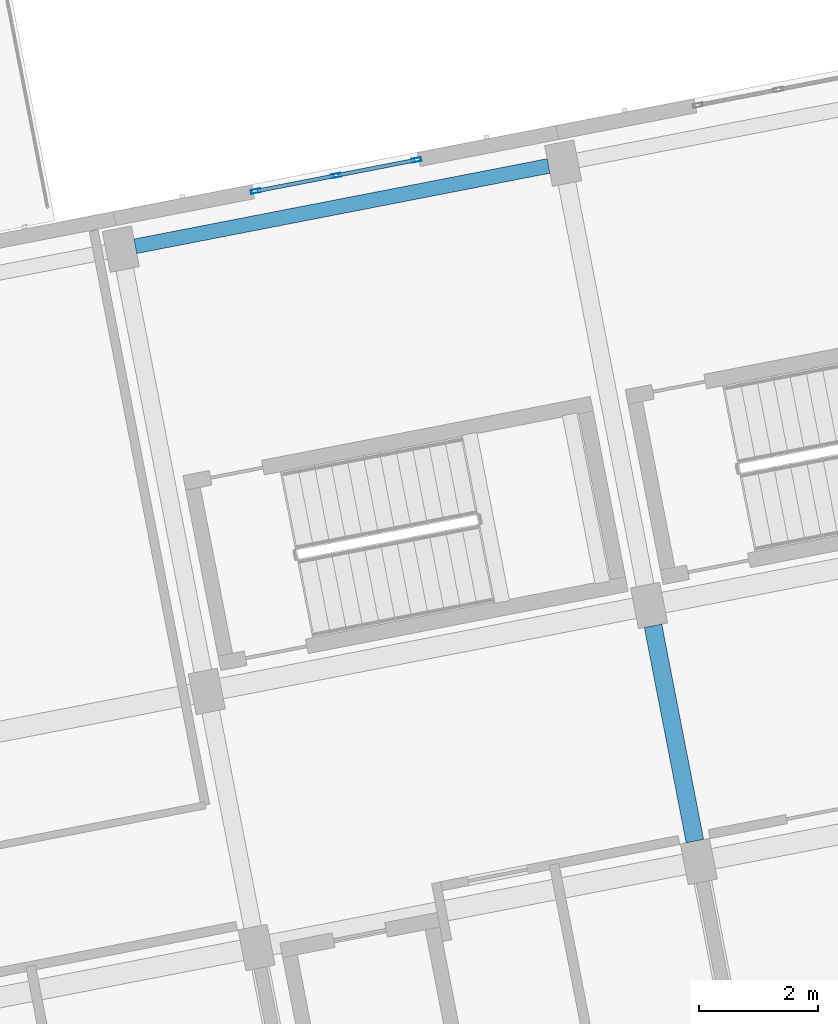
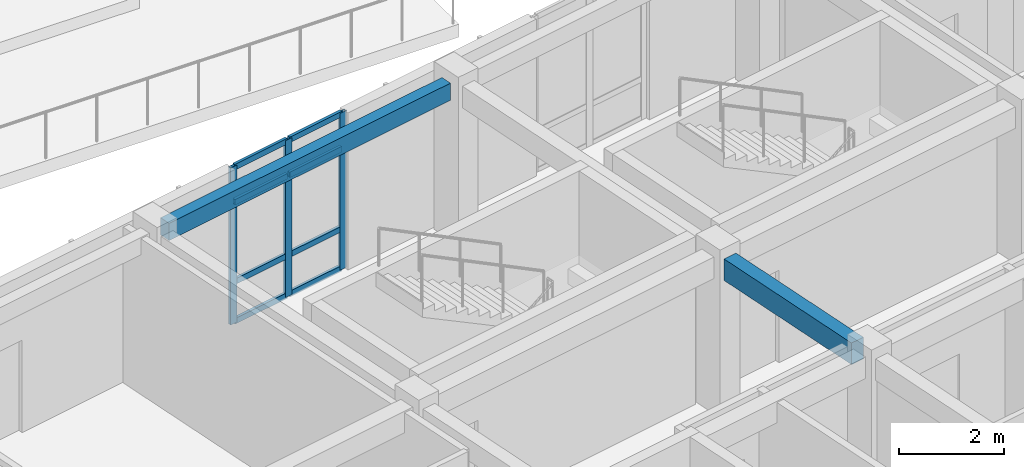
# One storey, part 58 of 150: 11 members, 2 beams, 1 element without a shape of its own.
"""IFC4 building model written with IfcOpenShell, lengths in metres."""

from ifc_helpers import new_model, si_unit, direction, frame, origin, origin_2d, place, context, subcontext, project, spatial, rectangle, hollow_rectangle, extrude, material, material_profile, profile_set, type_object, element, aggregate, save


model = new_model("IFC4")

# Units and contexts
model_context = context("Model", 3, precision=1e-05, world=origin(), true_north=direction((0.0, 1.0)))
body_context = subcontext(model_context, "Body", "Model", "MODEL_VIEW")
ifc_project = project(units=[si_unit("LENGTHUNIT", "METRE"), si_unit("AREAUNIT", "SQUARE_METRE"), si_unit("VOLUMEUNIT", "CUBIC_METRE"), si_unit("PLANEANGLEUNIT", "RADIAN"), si_unit("MASSUNIT", "GRAM", prefix="KILO")], contexts=[model_context])

# Site, building, storey
site_placement = place(None, origin())
site = spatial("IfcSite", under=ifc_project, at=site_placement, CompositionType="ELEMENT")
building_placement = place(site_placement, origin())
building = spatial("IfcBuilding", under=site, at=building_placement, Name="Kestramere Prow Commons", CompositionType="ELEMENT")
storey_placement = place(building_placement, frame((0.0, 0.0, 4.5)))
storey = spatial("IfcBuildingStorey", under=building, at=storey_placement, Name="L01", CompositionType="ELEMENT", Elevation=4.5)

# Beam
ifc_material_1 = material(Name="Precast concrete C40/50", Category="concrete")
ifc_material_profile_1 = material_profile(ifc_material_1, rectangle(XDim=0.300048828125, YDim=0.5, at=origin_2d()), Name="PC-BM 300x500")
ifc_profile_set_1 = profile_set([ifc_material_profile_1], Name="Precast concrete C40/50")
beam_type_1 = type_object("IfcBeamType", Name="BM-TIE-01 PC-BM 300x500", PredefinedType="BEAM", material=ifc_profile_set_1)
beam_1_placement = place(storey_placement, frame((146.724609375, 47.6044921875, 3.39990234375), z_axis=(-0.190821974723, 0.981624660429, 0.0), x_axis=(-0.981624660429, -0.190821974723, 0.0)))
element("IfcBeam", 1, at=beam_1_placement, inside=storey, type_object=beam_type_1, Name="Block D L01 Transverse Beam 5-2", PredefinedType="BEAM", context=body_context, shape_type="SweptSolid", body=[
    extrude(rectangle(XDim=0.300048828125, YDim=0.5, at=origin_2d()), origin(), (0.0, 0.0, 1.0), 3.699951171875),
])

# Curtain wall, members
ifc_material_2 = material(Name="Anodised Aluminium and Low-E Glass", Category="aluminium")
curtain_wall_type = type_object("IfcCurtainWallType", Name="CW-02 Glazed Curtain Wall 2830x3650", PredefinedType="USERDEFINED", material=ifc_material_2)
curtain_wall_placement = place(storey_placement, origin())
curtain_wall = element("IfcCurtainWall", 2, at=curtain_wall_placement, inside=storey, type_object=curtain_wall_type, Name="Block D L01 Stairwell Vertical Glazing 4", ObjectType="GLAZED CURTAIN WALL", PredefinedType="USERDEFINED")
ifc_material_3 = material(Name="Anodised Aluminium 6063-T6", Category="aluminium")
ifc_material_profile_2 = material_profile(ifc_material_3, hollow_rectangle(XDim=0.06494140625, YDim=0.159912109375, WallThickness=0.00390625, at=origin_2d()), Name="ALU-MUL 65x160")
ifc_profile_set_2 = profile_set([ifc_material_profile_2], Name="Anodised Aluminium 6063-T6")
member_type_1 = type_object("IfcMemberType", Name="CW-MUL-65x160", PredefinedType="MULLION", material=ifc_profile_set_2)
member_1_placement = place(storey_placement, frame((139.314208984375, 58.56689453125, 0.0), z_axis=(0.0, 0.0, 1.0), x_axis=(-0.190808835118, 0.981627214599, 0.0)))
member_1 = element("IfcMember", 3, at=member_1_placement, type_object=member_type_1, Name="CW-02 mullion 1", PredefinedType="MULLION", context=body_context, shape_type="SweptSolid", body=[
    extrude(hollow_rectangle(XDim=0.06494140625, YDim=0.159912109375, WallThickness=0.00390625, at=origin_2d()), origin(), (0.0, 0.0, 1.0), 3.64990234375),
])
member_2_placement = place(storey_placement, frame((140.671142578125, 58.830810546875, 0.0), z_axis=(0.0, 0.0, 1.0), x_axis=(-0.190808835118, 0.981627214599, 0.0)))
member_2 = element("IfcMember", 4, at=member_2_placement, type_object=member_type_1, Name="CW-02 mullion 2", PredefinedType="MULLION", context=body_context, shape_type="SweptSolid", body=[
    extrude(hollow_rectangle(XDim=0.06494140625, YDim=0.159912109375, WallThickness=0.00390625, at=origin_2d()), origin(), (0.0, 0.0, 1.0), 3.64990234375),
])
member_3_placement = place(storey_placement, frame((142.0283203125, 59.094482421875, 0.0), z_axis=(0.0, 0.0, 1.0), x_axis=(-0.190808835118, 0.981627214599, 0.0)))
member_3 = element("IfcMember", 5, at=member_3_placement, type_object=member_type_1, Name="CW-02 mullion 3", PredefinedType="MULLION", context=body_context, shape_type="SweptSolid", body=[
    extrude(hollow_rectangle(XDim=0.06494140625, YDim=0.159912109375, WallThickness=0.00390625, at=origin_2d()), origin(), (0.0, 0.0, 1.0), 3.64990234375),
])
ifc_material_profile_3 = material_profile(ifc_material_3, hollow_rectangle(XDim=0.06494140625, YDim=0.1298828125, WallThickness=0.00390625, at=origin_2d()), Name="ALU-TRN 65x130")
ifc_profile_set_3 = profile_set([ifc_material_profile_3], Name="Anodised Aluminium 6063-T6")
member_type_2 = type_object("IfcMemberType", Name="CW-TRN-65x130", PredefinedType="USERDEFINED", material=ifc_profile_set_3)
member_4_placement = place(storey_placement, frame((139.345947265625, 58.5732421875, 0.032470703125), z_axis=(0.981655869186, 0.190661360776, 0.0), x_axis=(-0.190661360776, 0.981655869186, 0.0)))
member_4 = element("IfcMember", 6, at=member_4_placement, type_object=member_type_2, Name="CW-02 transom 1.1", ObjectType="TRANSOM", PredefinedType="USERDEFINED", context=body_context, shape_type="SweptSolid", body=[
    extrude(hollow_rectangle(XDim=0.06494140625, YDim=0.1298828125, WallThickness=0.00390625, at=origin_2d()), origin(), (0.0, 0.0, 1.0), 1.317626953125),
])
member_5_placement = place(storey_placement, frame((139.345947265625, 58.5732421875, 0.949951171875), z_axis=(0.981655869186, 0.190661360776, 0.0), x_axis=(-0.190661360776, 0.981655869186, 0.0)))
member_5 = element("IfcMember", 7, at=member_5_placement, type_object=member_type_2, Name="CW-02 transom 1.2", ObjectType="TRANSOM", PredefinedType="USERDEFINED", context=body_context, shape_type="SweptSolid", body=[
    extrude(hollow_rectangle(XDim=0.06494140625, YDim=0.1298828125, WallThickness=0.00390625, at=origin_2d()), origin(), (0.0, 0.0, 1.0), 1.317626953125),
])
member_6_placement = place(storey_placement, frame((139.345947265625, 58.5732421875, 2.800048828125), z_axis=(0.981655869186, 0.190661360776, 0.0), x_axis=(-0.190661360776, 0.981655869186, 0.0)))
member_6 = element("IfcMember", 8, at=member_6_placement, type_object=member_type_2, Name="CW-02 transom 1.3", ObjectType="TRANSOM", PredefinedType="USERDEFINED", context=body_context, shape_type="SweptSolid", body=[
    extrude(hollow_rectangle(XDim=0.06494140625, YDim=0.1298828125, WallThickness=0.00390625, at=origin_2d()), origin(), (0.0, 0.0, 1.0), 1.317626953125),
])
member_7_placement = place(storey_placement, frame((139.345947265625, 58.5732421875, 3.617431640625), z_axis=(0.981655869186, 0.190661360776, 0.0), x_axis=(-0.190661360776, 0.981655869186, 0.0)))
member_7 = element("IfcMember", 9, at=member_7_placement, type_object=member_type_2, Name="CW-02 transom 1.4", ObjectType="TRANSOM", PredefinedType="USERDEFINED", context=body_context, shape_type="SweptSolid", body=[
    extrude(hollow_rectangle(XDim=0.06494140625, YDim=0.1298828125, WallThickness=0.00390625, at=origin_2d()), origin(), (0.0, 0.0, 1.0), 1.317626953125),
])
member_8_placement = place(storey_placement, frame((140.703125, 58.8369140625, 0.032470703125), z_axis=(0.981614425191, 0.190874619208, 0.0), x_axis=(-0.190874619208, 0.981614425191, 0.0)))
member_8 = element("IfcMember", 10, at=member_8_placement, type_object=member_type_2, Name="CW-02 transom 2.1", ObjectType="TRANSOM", PredefinedType="USERDEFINED", context=body_context, shape_type="SweptSolid", body=[
    extrude(hollow_rectangle(XDim=0.06494140625, YDim=0.1298828125, WallThickness=0.00390625, at=origin_2d()), origin(), (0.0, 0.0, 1.0), 1.3173828125),
])
member_9_placement = place(storey_placement, frame((140.703125, 58.8369140625, 0.949951171875), z_axis=(0.981614425191, 0.190874619208, 0.0), x_axis=(-0.190874619208, 0.981614425191, 0.0)))
member_9 = element("IfcMember", 11, at=member_9_placement, type_object=member_type_2, Name="CW-02 transom 2.2", ObjectType="TRANSOM", PredefinedType="USERDEFINED", context=body_context, shape_type="SweptSolid", body=[
    extrude(hollow_rectangle(XDim=0.06494140625, YDim=0.1298828125, WallThickness=0.00390625, at=origin_2d()), origin(), (0.0, 0.0, 1.0), 1.3173828125),
])
member_10_placement = place(storey_placement, frame((140.703125, 58.8369140625, 2.800048828125), z_axis=(0.981614425191, 0.190874619208, 0.0), x_axis=(-0.190874619208, 0.981614425191, 0.0)))
member_10 = element("IfcMember", 12, at=member_10_placement, type_object=member_type_2, Name="CW-02 transom 2.3", ObjectType="TRANSOM", PredefinedType="USERDEFINED", context=body_context, shape_type="SweptSolid", body=[
    extrude(hollow_rectangle(XDim=0.06494140625, YDim=0.1298828125, WallThickness=0.00390625, at=origin_2d()), origin(), (0.0, 0.0, 1.0), 1.3173828125),
])
member_11_placement = place(storey_placement, frame((140.703125, 58.8369140625, 3.617431640625), z_axis=(0.981614425191, 0.190874619208, 0.0), x_axis=(-0.190874619208, 0.981614425191, 0.0)))
member_11 = element("IfcMember", 13, at=member_11_placement, type_object=member_type_2, Name="CW-02 transom 2.4", ObjectType="TRANSOM", PredefinedType="USERDEFINED", context=body_context, shape_type="SweptSolid", body=[
    extrude(hollow_rectangle(XDim=0.06494140625, YDim=0.1298828125, WallThickness=0.00390625, at=origin_2d()), origin(), (0.0, 0.0, 1.0), 1.3173828125),
])
aggregate(curtain_wall, [member_1, member_2, member_3, member_4, member_5, member_6, member_7, member_8, member_9, member_10, member_11])

# Beam
ifc_material_profile_4 = material_profile(ifc_material_1, rectangle(XDim=0.25, YDim=0.39990234375, at=origin_2d()), Name="PC-SP 250x400")
ifc_profile_set_4 = profile_set([ifc_material_profile_4], Name="Precast concrete C40/50")
beam_type_2 = type_object("IfcBeamType", Name="SP-EXT-01 PC-SP 250x400", PredefinedType="SPANDREL", material=ifc_profile_set_4)
beam_2_placement = place(storey_placement, frame((137.28662109375, 57.637939453125, 3.449951171875), z_axis=(0.981627020401, 0.190809834175, 0.0), x_axis=(-0.190809834175, 0.981627020401, 0.0)))
element("IfcBeam", 14, at=beam_2_placement, inside=storey, type_object=beam_type_2, Name="Block D L01 Longitudinal Beam 4-4", PredefinedType="SPANDREL", context=body_context, shape_type="SweptSolid", body=[
    extrude(rectangle(XDim=0.25, YDim=0.39990234375, at=origin_2d()), origin(), (0.0, 0.0, 1.0), 7.099853515625),
])

save(model, "model.ifc")
